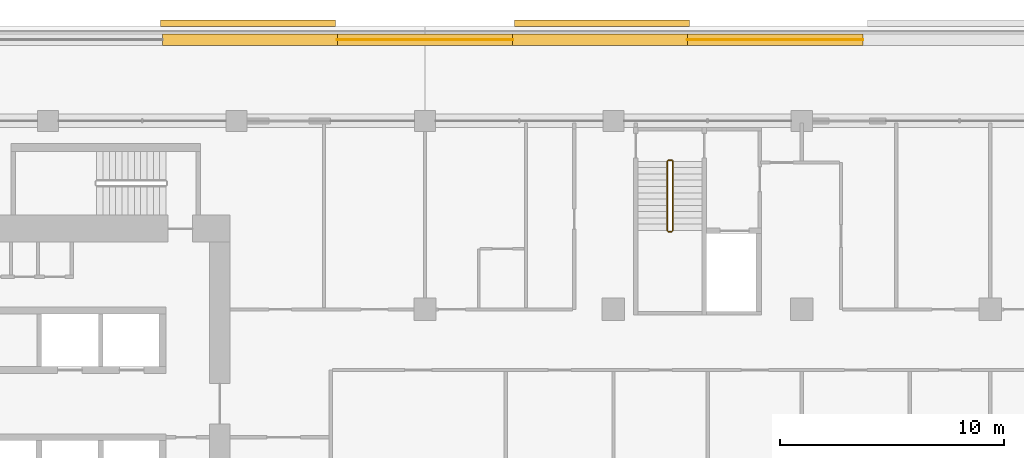
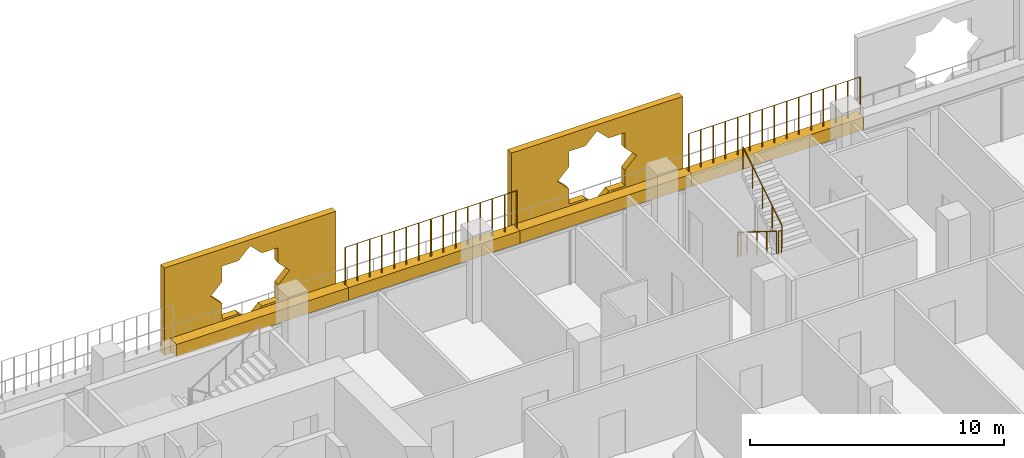
# One storey, part 20 of 21: 6 coverings, 6 railings.
"""IFC4 building model written with IfcOpenShell, lengths in metres."""

import ifcopenshell
import ifcopenshell.guid

model = None  # the IFC model being written
_history = None  # IfcOwnerHistory: only IFC2X3 demands one
_inside = {}  # id of a spatial element -> (the spatial element, [elements in it])
_under = {}  # id of a project, library or spatial element -> (it, [spatial elements below it])
_declared = {}  # id of a project -> (the project, [libraries it declares])
_typed = {}  # id of a type object -> (the type object, [elements of that type])
_made_of = {}  # id of a material, layer set ... -> (it, [elements and type objects made of it])


def new_model(schema):
    """Start an empty IFC model of exactly this schema.

    Asked for "IFC4X3", IfcOpenShell would pick the latest addendum, in which some entities
    have other attributes; the version numbers below select the first issue.
    IFC2X3 requires an IfcOwnerHistory on every rooted entity: one is made here for all.
    """
    global model, _history
    if schema == "IFC4X3":
        model = ifcopenshell.file(schema_version=(4, 3, 0, 0))
    else:
        model = ifcopenshell.file(schema=schema)
    _inside.clear()
    _under.clear()
    _declared.clear()
    _typed.clear()
    _made_of.clear()
    _history = None
    if model.schema == "IFC2X3":
        org = make("IfcOrganization", Name="unknown")
        user = make(
            "IfcPersonAndOrganization",
            ThePerson=make("IfcPerson", FamilyName="unknown"),
            TheOrganization=org,
        )
        app = make(
            "IfcApplication",
            ApplicationDeveloper=org,
            Version="unknown",
            ApplicationFullName="unknown",
            ApplicationIdentifier="unknown",
        )
        _history = make(
            "IfcOwnerHistory",
            OwningUser=user,
            OwningApplication=app,
            ChangeAction="ADDED",
            CreationDate=0,
        )
    return model


def make(cls, **values):
    """One entity of the class cls with the attributes given. An attribute that is None is left unset."""
    return model.create_entity(
        cls, **{name: value for name, value in values.items() if value is not None}
    )


def rooted(cls, **values):
    """An entity with a GlobalId (a new one), such as an element, a storey or a relation."""
    return make(cls, GlobalId=ifcopenshell.guid.new(), OwnerHistory=_history, **values)


def si_unit(unit_type, name, prefix=None):
    """IfcSIUnit, for example si_unit("LENGTHUNIT", "METRE", prefix="MILLI")."""
    return make("IfcSIUnit", UnitType=unit_type, Prefix=prefix, Name=name)


def assignment(units):
    """IfcUnitAssignment: the units of a project."""
    return None if units is None else make("IfcUnitAssignment", Units=units)


def point(xyz):
    """IfcCartesianPoint."""
    return None if xyz is None else make("IfcCartesianPoint", Coordinates=xyz)


def direction(xyz):
    """IfcDirection."""
    return None if xyz is None else make("IfcDirection", DirectionRatios=xyz)


def frame(location, z_axis=None, x_axis=None):
    """IfcAxis2Placement3D, a coordinate frame: its origin and axes. An axis left out is left unset."""
    return make(
        "IfcAxis2Placement3D",
        Location=point(location),
        Axis=direction(z_axis),
        RefDirection=direction(x_axis),
    )


def frame_2d(location, x_axis=None):
    """IfcAxis2Placement2D, a coordinate frame in the plane: its origin and x axis."""
    return make(
        "IfcAxis2Placement2D", Location=point(location), RefDirection=direction(x_axis)
    )


def origin():
    """The frame at (0, 0, 0) with its axes left unset."""
    return frame((0.0, 0.0, 0.0))


def origin_2d():
    """The frame at (0, 0) in the plane with its x axis left unset."""
    return frame_2d((0.0, 0.0))


def place(relative_to, where):
    """IfcLocalPlacement: puts the frame where relative to a parent placement (None: the world)."""
    return make(
        "IfcLocalPlacement", PlacementRelTo=relative_to, RelativePlacement=where
    )


def context(
    kind, dimensions, precision=None, world=None, true_north=None, identifier=None
):
    """IfcGeometricRepresentationContext, for example the 3D "Model" context."""
    return make(
        "IfcGeometricRepresentationContext",
        ContextIdentifier=identifier,
        ContextType=kind,
        CoordinateSpaceDimension=dimensions,
        Precision=precision,
        WorldCoordinateSystem=world,
        TrueNorth=true_north,
    )


def subcontext(parent, identifier, kind, view, scale=None):
    """IfcGeometricRepresentationSubContext, for example "Body" below "Model"."""
    return make(
        "IfcGeometricRepresentationSubContext",
        ContextIdentifier=identifier,
        ContextType=kind,
        ParentContext=parent,
        TargetScale=scale,
        TargetView=view,
    )


def project(units=None, contexts=None):
    """IfcProject with its units and contexts."""
    return rooted(
        "IfcProject",
        Name="project",
        RepresentationContexts=contexts,
        UnitsInContext=assignment(units),
    )


def spatial(cls, under=None, at=None, **own):
    """A site, building, storey or space (cls), placed at a placement, below another one or the project."""
    s = rooted(cls, ObjectPlacement=at, **own)
    if under is not None:
        _under.setdefault(under.id(), (under, []))[1].append(s)
    return s


def polyline(points):
    """IfcPolyline through the points."""
    return make("IfcPolyline", Points=[point(p) for p in points])


def profile(cls, at=None, kind="AREA", **sizes):
    """A parametric profile (cls). Its sizes go by their IFC names, for example OverallWidth=200.0."""
    return make(cls, ProfileType=kind, Position=at, **sizes)


def rectangle(**sizes):
    """IfcRectangleProfileDef."""
    return profile("IfcRectangleProfileDef", **sizes)


def circle(**sizes):
    """IfcCircleProfileDef."""
    return profile("IfcCircleProfileDef", **sizes)


def outline(outer, holes=None, kind="AREA"):
    """IfcArbitraryClosedProfileDef: a profile drawn as a closed curve; with holes, ...WithVoids."""
    if holes is None:
        return make("IfcArbitraryClosedProfileDef", ProfileType=kind, OuterCurve=outer)
    return make(
        "IfcArbitraryProfileDefWithVoids",
        ProfileType=kind,
        OuterCurve=outer,
        InnerCurves=holes,
    )


def extrude(swept, where, along, depth):
    """IfcExtrudedAreaSolid: the profile swept, set in the frame where, extruded along a direction by depth."""
    return make(
        "IfcExtrudedAreaSolid",
        SweptArea=swept,
        Position=where,
        ExtrudedDirection=direction(along),
        Depth=depth,
    )


def shape(context_of_items, identifier, shape_type, items):
    """IfcShapeRepresentation: the items that make up one representation, for example the "Body"."""
    return make(
        "IfcShapeRepresentation",
        ContextOfItems=context_of_items,
        RepresentationIdentifier=identifier,
        RepresentationType=shape_type,
        Items=items,
    )


def material(Name=None, Category=None):
    """IfcMaterial."""
    return make("IfcMaterial", Name=Name, Category=Category)


def material_profile(
    of_material, cross_section, Name=None, Category=None, Priority=None
):
    """IfcMaterialProfile: a cross section and its material."""
    return make(
        "IfcMaterialProfile",
        Name=Name,
        Material=of_material,
        Profile=cross_section,
        Priority=Priority,
        Category=Category,
    )


def profile_set(profiles, Name=None, composite=None):
    """IfcMaterialProfileSet."""
    return make(
        "IfcMaterialProfileSet",
        Name=Name,
        MaterialProfiles=profiles,
        CompositeProfile=composite,
    )


def made_of(thing, what):
    """Note that an element or type object is made of a material, layer set ...; save() writes the relation."""
    if what is not None:
        _made_of.setdefault(what.id(), (what, []))[1].append(thing)
    return thing


def type_object(cls, material=None, **own):
    """A type object (cls), such as IfcWallType, which elements share."""
    return made_of(rooted(cls, **own), material)


def element(
    cls,
    number,
    at=None,
    inside=None,
    cuts=None,
    type_object=None,
    material=None,
    context=None,
    identifier="Body",
    shape_type=None,
    held_by="IfcProductDefinitionShape",
    body=None,
    shapes=None,
    **own,
):
    """One element of the class cls, such as IfcWall. Its Tag is "e" and its number.

    at: its placement. inside: the storey or other place that contains it. cuts: it is an
    opening in that element (IfcRelVoidsElement). A single representation is given by context,
    identifier, shape_type and body (its items); several are given by shapes. held_by: the class
    of the entity that holds the representations. save() writes the other relations.
    """
    e = rooted(cls, Tag="e%d" % number, ObjectPlacement=at, **own)
    if body is not None:
        shapes = [shape(context, identifier, shape_type, body)]
    if shapes is not None:
        e.Representation = make(held_by, Representations=shapes)
    if inside is not None:
        _inside.setdefault(inside.id(), (inside, []))[1].append(e)
    if cuts is not None:
        rooted(
            "IfcRelVoidsElement", RelatingBuildingElement=cuts, RelatedOpeningElement=e
        )
    if type_object is not None:
        _typed.setdefault(type_object.id(), (type_object, []))[1].append(e)
    return made_of(e, material)


def aggregate(whole, parts):
    """IfcRelAggregates: a whole, such as a stair, and the parts it consists of."""
    return rooted("IfcRelAggregates", RelatingObject=whole, RelatedObjects=parts)


def save(model, path):
    """Write the relations noted so far, then the file.

    IfcRelAggregates (storeys below a building ...), IfcRelContainedInSpatialStructure (elements
    in a storey), IfcRelDefinesByType, IfcRelAssociatesMaterial and IfcRelDeclares: one each for
    every whole, place, type object, material and project.
    """
    for whole, parts in _under.values():
        aggregate(whole, parts)
    for where, things in _inside.values():
        rooted(
            "IfcRelContainedInSpatialStructure",
            RelatedElements=things,
            RelatingStructure=where,
        )
    for kind, things in _typed.values():
        rooted("IfcRelDefinesByType", RelatedObjects=things, RelatingType=kind)
    for what, things in _made_of.values():
        rooted("IfcRelAssociatesMaterial", RelatedObjects=things, RelatingMaterial=what)
    for by, libraries in _declared.values():
        rooted("IfcRelDeclares", RelatingContext=by, RelatedDefinitions=libraries)
    model.write(path)


model = new_model("IFC4")

# Units and contexts
model_context = context("Model", 3, precision=1e-05, world=origin(), true_north=direction((0.0, 1.0)))
body_context = subcontext(model_context, "Body", "Model", "MODEL_VIEW")
ifc_project = project(units=[si_unit("LENGTHUNIT", "METRE"), si_unit("AREAUNIT", "SQUARE_METRE"), si_unit("VOLUMEUNIT", "CUBIC_METRE"), si_unit("PLANEANGLEUNIT", "RADIAN"), si_unit("MASSUNIT", "GRAM", prefix="KILO")], contexts=[model_context])

# Site, building, storey
site_placement = place(None, origin())
site = spatial("IfcSite", under=ifc_project, at=site_placement, CompositionType="ELEMENT")
building_placement = place(site_placement, origin())
building = spatial("IfcBuilding", under=site, at=building_placement, Name="Kawkab Arch Medical Tower", CompositionType="ELEMENT")
storey_placement = place(building_placement, frame((0.0, 0.0, 200.39990234375)))
storey = spatial("IfcBuildingStorey", under=building, at=storey_placement, Name="L46", CompositionType="ELEMENT", Elevation=200.39990234375)

# Coverings
ifc_material_1 = material(Name="Bronze anodised aluminium mashrabiya panel, eight-point star pattern", Category="aluminium")
ifc_material_profile_1 = material_profile(ifc_material_1, outline(polyline([(-3.89990234375, -2.10009765625), (3.89990234375, -2.10009765625), (3.89990234375, 2.10009765625), (-3.89990234375, 2.10009765625), (-3.89990234375, -2.10009765625)]), holes=[polyline([(1.800048828125, 0.0), (1.272705078125, 0.527099609375), (1.272705078125, 1.272705078125), (0.527099609375, 1.272705078125), (0.0, 1.800048828125), (-0.527099609375, 1.272705078125), (-1.272705078125, 1.272705078125), (-1.272705078125, 0.527099609375), (-1.800048828125, 0.0), (-1.272705078125, -0.527099609375), (-1.272705078125, -1.272705078125), (-0.527099609375, -1.272705078125), (0.0, -1.800048828125), (0.527099609375, -1.272705078125), (1.272705078125, -1.272705078125), (1.272705078125, -0.527099609375), (1.800048828125, 0.0)])]), Name="Mashrabiya panel 7800x4200")
ifc_profile_set_1 = profile_set([ifc_material_profile_1], Name="Bronze anodised aluminium mashrabiya panel, eight-point star pattern")
covering_type_1 = type_object("IfcCoveringType", Name="Mashrabiya panel 7800 x 4200", PredefinedType="USERDEFINED", material=ifc_profile_set_1)
for number, where, z_axis, x_axis, name in (
    (1, (25.7158203125, 4.199951171875, 1.7001953125), (0.0, 1.0, 0.0), (-1.0, 0.0, 0.0), "Mashrabiya panel L46.LOG-01-01.6"),
    (2, (41.484375, 4.199951171875, 1.7001953125), (0.0, 1.0, 0.0), (-1.0, 0.0, 0.0), "Mashrabiya panel L46.LOG-01-01.7"),
):
    element("IfcCovering", number, at=place(storey_placement, frame(where, z_axis=z_axis, x_axis=x_axis)), inside=storey, type_object=covering_type_1, Name=name, ObjectType="SCREEN", PredefinedType="USERDEFINED", context=body_context, shape_type="SweptSolid", body=[
        extrude(outline(polyline([(-3.89990234375, -2.10009765625), (3.89990234375, -2.10009765625), (3.89990234375, 2.10009765625), (-3.89990234375, 2.10009765625), (-3.89990234375, -2.10009765625)]), holes=[polyline([(1.800048828125, 0.0), (1.272705078125, 0.527099609375), (1.272705078125, 1.272705078125), (0.527099609375, 1.272705078125), (0.0, 1.800048828125), (-0.527099609375, 1.272705078125), (-1.272705078125, 1.272705078125), (-1.272705078125, 0.527099609375), (-1.800048828125, 0.0), (-1.272705078125, -0.527099609375), (-1.272705078125, -1.272705078125), (-0.527099609375, -1.272705078125), (0.0, -1.800048828125), (0.527099609375, -1.272705078125), (1.272705078125, -1.272705078125), (1.272705078125, -0.527099609375), (1.800048828125, 0.0)])]), origin(), (0.0, 0.0, 1.0), 0.300048828125),
    ])
ifc_material_2 = material(Name="Planting soil in a precast trough", Category="concrete")
ifc_material_profile_2 = material_profile(ifc_material_2, rectangle(XDim=0.5, YDim=0.60009765625, at=origin_2d()), Name="Trough 500x600")
ifc_profile_set_2 = profile_set([ifc_material_profile_2], Name="Planting soil in a precast trough")
covering_type_2 = type_object("IfcCoveringType", Name="Planter trough 500 x 600", PredefinedType="USERDEFINED", material=ifc_profile_set_2)
covering_1_placement = place(storey_placement, frame((21.89306640625, 3.6201171875, 0.300048828125), z_axis=(1.0, 0.0, 0.0), x_axis=(0.0, 1.0, 0.0)))
element("IfcCovering", 3, at=covering_1_placement, inside=storey, type_object=covering_type_2, Name="Planter L46.LOG-01-01.20", ObjectType="PLANTER", PredefinedType="USERDEFINED", context=body_context, shape_type="SweptSolid", body=[
    extrude(rectangle(XDim=0.5, YDim=0.60009765625, at=origin_2d()), origin(), (0.0, 0.0, 1.0), 7.804931640625),
])
covering_2_placement = place(storey_placement, frame((29.697998046875, 3.6201171875, 0.300048828125), z_axis=(1.0, 0.0, 0.0), x_axis=(0.0, 1.0, 0.0)))
element("IfcCovering", 4, at=covering_2_placement, inside=storey, type_object=covering_type_2, Name="Planter L46.LOG-01-01.21", ObjectType="PLANTER", PredefinedType="USERDEFINED", context=body_context, shape_type="SweptSolid", body=[
    extrude(rectangle(XDim=0.5, YDim=0.60009765625, at=origin_2d()), origin(), (0.0, 0.0, 1.0), 7.803955078125),
])
covering_3_placement = place(storey_placement, frame((37.501953125, 3.6201171875, 0.300048828125), z_axis=(1.0, 0.0, 0.0), x_axis=(0.0, 1.0, 0.0)))
element("IfcCovering", 5, at=covering_3_placement, inside=storey, type_object=covering_type_2, Name="Planter L46.LOG-01-01.22", ObjectType="PLANTER", PredefinedType="USERDEFINED", context=body_context, shape_type="SweptSolid", body=[
    extrude(rectangle(XDim=0.5, YDim=0.60009765625, at=origin_2d()), origin(), (0.0, 0.0, 1.0), 7.804931640625),
])
covering_4_placement = place(storey_placement, frame((45.306884765625, 3.6201171875, 0.300048828125), z_axis=(1.0, 0.0, 0.0), x_axis=(0.0, 1.0, 0.0)))
element("IfcCovering", 6, at=covering_4_placement, inside=storey, type_object=covering_type_2, Name="Planter L46.LOG-01-01.23", ObjectType="PLANTER", PredefinedType="USERDEFINED", context=body_context, shape_type="SweptSolid", body=[
    extrude(rectangle(XDim=0.5, YDim=0.60009765625, at=origin_2d()), origin(), (0.0, 0.0, 1.0), 7.80517578125),
])

# Railings
ifc_material_3 = material(Name="Bronze anodised aluminium trellis for climbing plants", Category="aluminium")
railing_type_1 = type_object("IfcRailingType", Name="Planting trellis 2400", PredefinedType="USERDEFINED", material=ifc_material_3)
railing_1_placement = place(storey_placement, frame((29.697998046875, 3.6201171875, 0.0)))
element("IfcRailing", 7, at=railing_1_placement, inside=storey, type_object=railing_type_1, Name="Planting trellis L46.LOG-01-01.21", ObjectType="TRELLIS", PredefinedType="USERDEFINED", context=body_context, shape_type="SweptSolid", body=[
    extrude(circle(Radius=0.01513671875, at=origin_2d()), frame((0.0, 0.0, 2.384765625), z_axis=(1.0, 0.0, 0.0), x_axis=(0.0, 1.0, 0.0)), (0.0, 0.0, 1.0), 7.803955078125),
    extrude(circle(Radius=0.030029296875, at=origin_2d()), origin(), (0.0, 0.0, 1.0), 2.369873046875),
    extrude(circle(Radius=0.030029296875, at=origin_2d()), frame((0.557373046875, 0.0, 0.0)), (0.0, 0.0, 1.0), 2.369873046875),
    extrude(circle(Radius=0.030029296875, at=origin_2d()), frame((1.11474609375, 0.0, 0.0)), (0.0, 0.0, 1.0), 2.369873046875),
    extrude(circle(Radius=0.030029296875, at=origin_2d()), frame((1.67236328125, 0.0, 0.0)), (0.0, 0.0, 1.0), 2.369873046875),
    extrude(circle(Radius=0.030029296875, at=origin_2d()), frame((2.229736328125, 0.0, 0.0)), (0.0, 0.0, 1.0), 2.369873046875),
    extrude(circle(Radius=0.030029296875, at=origin_2d()), frame((2.787109375, 0.0, 0.0)), (0.0, 0.0, 1.0), 2.369873046875),
    extrude(circle(Radius=0.030029296875, at=origin_2d()), frame((3.344482421875, 0.0, 0.0)), (0.0, 0.0, 1.0), 2.369873046875),
    extrude(circle(Radius=0.030029296875, at=origin_2d()), frame((3.90185546875, 0.0, 0.0)), (0.0, 0.0, 1.0), 2.369873046875),
    extrude(circle(Radius=0.030029296875, at=origin_2d()), frame((4.45947265625, 0.0, 0.0)), (0.0, 0.0, 1.0), 2.369873046875),
    extrude(circle(Radius=0.030029296875, at=origin_2d()), frame((5.016845703125, 0.0, 0.0)), (0.0, 0.0, 1.0), 2.369873046875),
    extrude(circle(Radius=0.030029296875, at=origin_2d()), frame((5.57421875, 0.0, 0.0)), (0.0, 0.0, 1.0), 2.369873046875),
    extrude(circle(Radius=0.030029296875, at=origin_2d()), frame((6.131591796875, 0.0, 0.0)), (0.0, 0.0, 1.0), 2.369873046875),
    extrude(circle(Radius=0.030029296875, at=origin_2d()), frame((6.689208984375, 0.0, 0.0)), (0.0, 0.0, 1.0), 2.369873046875),
    extrude(circle(Radius=0.030029296875, at=origin_2d()), frame((7.24658203125, 0.0, 0.0)), (0.0, 0.0, 1.0), 2.369873046875),
    extrude(circle(Radius=0.030029296875, at=origin_2d()), frame((7.803955078125, 0.0, 0.0)), (0.0, 0.0, 1.0), 2.369873046875),
])
railing_2_placement = place(storey_placement, frame((45.306884765625, 3.6201171875, 0.0)))
element("IfcRailing", 8, at=railing_2_placement, inside=storey, type_object=railing_type_1, Name="Planting trellis L46.LOG-01-01.23", ObjectType="TRELLIS", PredefinedType="USERDEFINED", context=body_context, shape_type="SweptSolid", body=[
    extrude(circle(Radius=0.01513671875, at=origin_2d()), frame((0.0, 0.0, 2.384765625), z_axis=(1.0, 0.0, 0.0), x_axis=(0.0, 1.0, 0.0)), (0.0, 0.0, 1.0), 7.80517578125),
    extrude(circle(Radius=0.030029296875, at=origin_2d()), origin(), (0.0, 0.0, 1.0), 2.369873046875),
    extrude(circle(Radius=0.030029296875, at=origin_2d()), frame((0.5576171875, 0.0, 0.0)), (0.0, 0.0, 1.0), 2.369873046875),
    extrude(circle(Radius=0.030029296875, at=origin_2d()), frame((1.114990234375, 0.0, 0.0)), (0.0, 0.0, 1.0), 2.369873046875),
    extrude(circle(Radius=0.030029296875, at=origin_2d()), frame((1.672607421875, 0.0, 0.0)), (0.0, 0.0, 1.0), 2.369873046875),
    extrude(circle(Radius=0.030029296875, at=origin_2d()), frame((2.22998046875, 0.0, 0.0)), (0.0, 0.0, 1.0), 2.369873046875),
    extrude(circle(Radius=0.030029296875, at=origin_2d()), frame((2.78759765625, 0.0, 0.0)), (0.0, 0.0, 1.0), 2.369873046875),
    extrude(circle(Radius=0.030029296875, at=origin_2d()), frame((3.344970703125, 0.0, 0.0)), (0.0, 0.0, 1.0), 2.369873046875),
    extrude(circle(Radius=0.030029296875, at=origin_2d()), frame((3.902587890625, 0.0, 0.0)), (0.0, 0.0, 1.0), 2.369873046875),
    extrude(circle(Radius=0.030029296875, at=origin_2d()), frame((4.460205078125, 0.0, 0.0)), (0.0, 0.0, 1.0), 2.369873046875),
    extrude(circle(Radius=0.030029296875, at=origin_2d()), frame((5.017578125, 0.0, 0.0)), (0.0, 0.0, 1.0), 2.369873046875),
    extrude(circle(Radius=0.030029296875, at=origin_2d()), frame((5.5751953125, 0.0, 0.0)), (0.0, 0.0, 1.0), 2.369873046875),
    extrude(circle(Radius=0.030029296875, at=origin_2d()), frame((6.132568359375, 0.0, 0.0)), (0.0, 0.0, 1.0), 2.369873046875),
    extrude(circle(Radius=0.030029296875, at=origin_2d()), frame((6.690185546875, 0.0, 0.0)), (0.0, 0.0, 1.0), 2.369873046875),
    extrude(circle(Radius=0.030029296875, at=origin_2d()), frame((7.24755859375, 0.0, 0.0)), (0.0, 0.0, 1.0), 2.369873046875),
    extrude(circle(Radius=0.030029296875, at=origin_2d()), frame((7.80517578125, 0.0, 0.0)), (0.0, 0.0, 1.0), 2.369873046875),
])
ifc_material_4 = material(Name="Stainless steel", Category="steel")
railing_type_2 = type_object("IfcRailingType", Name="Stair guard 1100", PredefinedType="GUARDRAIL", material=ifc_material_4)
railing_3_placement = place(storey_placement, frame((44.39990234375, -1.800048828125, 0.175048828125)))
element("IfcRailing", 9, at=railing_3_placement, inside=storey, type_object=railing_type_2, Name="L46 ST5 stair guard 1", PredefinedType="GUARDRAIL", context=body_context, shape_type="SweptSolid", body=[
    extrude(circle(Radius=0.02392578125, at=origin_2d()), frame((0.0, 0.0, 1.076171875), z_axis=(0.0, -0.847979421464, 0.530029150871), x_axis=(1.0, 0.0, 0.0)), (0.0, 0.0, 1.0), 3.632080078125),
    extrude(circle(Radius=0.02099609375, at=origin_2d()), origin(), (0.0, 0.0, 1.0), 1.052001953125),
    extrude(circle(Radius=0.02099609375, at=origin_2d()), frame((0.0, -0.77001953125, 0.481201171875)), (0.0, 0.0, 1.0), 1.052001953125),
    extrude(circle(Radius=0.02099609375, at=origin_2d()), frame((0.0, -1.5400390625, 0.96240234375)), (0.0, 0.0, 1.0), 1.052001953125),
    extrude(circle(Radius=0.02099609375, at=origin_2d()), frame((0.0, -2.309814453125, 1.44384765625)), (0.0, 0.0, 1.0), 1.052001953125),
    extrude(circle(Radius=0.02099609375, at=origin_2d()), frame((0.0, -3.079833984375, 1.925048828125)), (0.0, 0.0, 1.0), 1.052001953125),
])
railing_4_placement = place(storey_placement, frame((44.449951171875, -4.929931640625, 2.10009765625)))
element("IfcRailing", 10, at=railing_4_placement, inside=storey, type_object=railing_type_2, Name="L46 ST5 stair guard 2", PredefinedType="GUARDRAIL", context=body_context, shape_type="SweptSolid", body=[
    extrude(circle(Radius=0.02392578125, at=origin_2d()), frame((0.0, 0.0, 1.076171875), z_axis=(1.0, 0.0, 0.0), x_axis=(0.0, 1.0, 0.0)), (0.0, 0.0, 1.0), 0.150146484375),
    extrude(circle(Radius=0.02099609375, at=origin_2d()), origin(), (0.0, 0.0, 1.0), 1.052001953125),
    extrude(circle(Radius=0.02099609375, at=origin_2d()), frame((0.150146484375, 0.0, 0.0)), (0.0, 0.0, 1.0), 1.052001953125),
])
railing_5_placement = place(storey_placement, frame((44.64990234375, -4.8798828125, 2.275146484375)))
element("IfcRailing", 11, at=railing_5_placement, inside=storey, type_object=railing_type_2, Name="L46 ST5 stair guard 3", PredefinedType="GUARDRAIL", context=body_context, shape_type="SweptSolid", body=[
    extrude(circle(Radius=0.02392578125, at=origin_2d()), frame((0.0, 0.0, 1.076171875), z_axis=(0.0, 0.847979421464, 0.530029150871), x_axis=(-1.0, 0.0, 0.0)), (0.0, 0.0, 1.0), 3.632080078125),
    extrude(circle(Radius=0.02099609375, at=origin_2d()), origin(), (0.0, 0.0, 1.0), 1.052001953125),
    extrude(circle(Radius=0.02099609375, at=origin_2d()), frame((0.0, 0.77001953125, 0.481201171875)), (0.0, 0.0, 1.0), 1.052001953125),
    extrude(circle(Radius=0.02099609375, at=origin_2d()), frame((0.0, 1.5400390625, 0.96240234375)), (0.0, 0.0, 1.0), 1.052001953125),
    extrude(circle(Radius=0.02099609375, at=origin_2d()), frame((0.0, 2.309814453125, 1.44384765625)), (0.0, 0.0, 1.0), 1.052001953125),
    extrude(circle(Radius=0.02099609375, at=origin_2d()), frame((0.0, 3.079833984375, 1.925048828125)), (0.0, 0.0, 1.0), 1.052001953125),
])
railing_6_placement = place(storey_placement, frame((44.449951171875, -1.75, 0.0)))
element("IfcRailing", 12, at=railing_6_placement, inside=storey, type_object=railing_type_2, Name="L46 ST5 stair guard 4", PredefinedType="GUARDRAIL", context=body_context, shape_type="SweptSolid", body=[
    extrude(circle(Radius=0.02392578125, at=origin_2d()), frame((0.0, 0.0, 1.076171875), z_axis=(1.0, 0.0, 0.0), x_axis=(0.0, 1.0, 0.0)), (0.0, 0.0, 1.0), 0.150146484375),
    extrude(circle(Radius=0.02099609375, at=origin_2d()), origin(), (0.0, 0.0, 1.0), 1.052001953125),
    extrude(circle(Radius=0.02099609375, at=origin_2d()), frame((0.150146484375, 0.0, 0.0)), (0.0, 0.0, 1.0), 1.052001953125),
])

save(model, "model.ifc")
